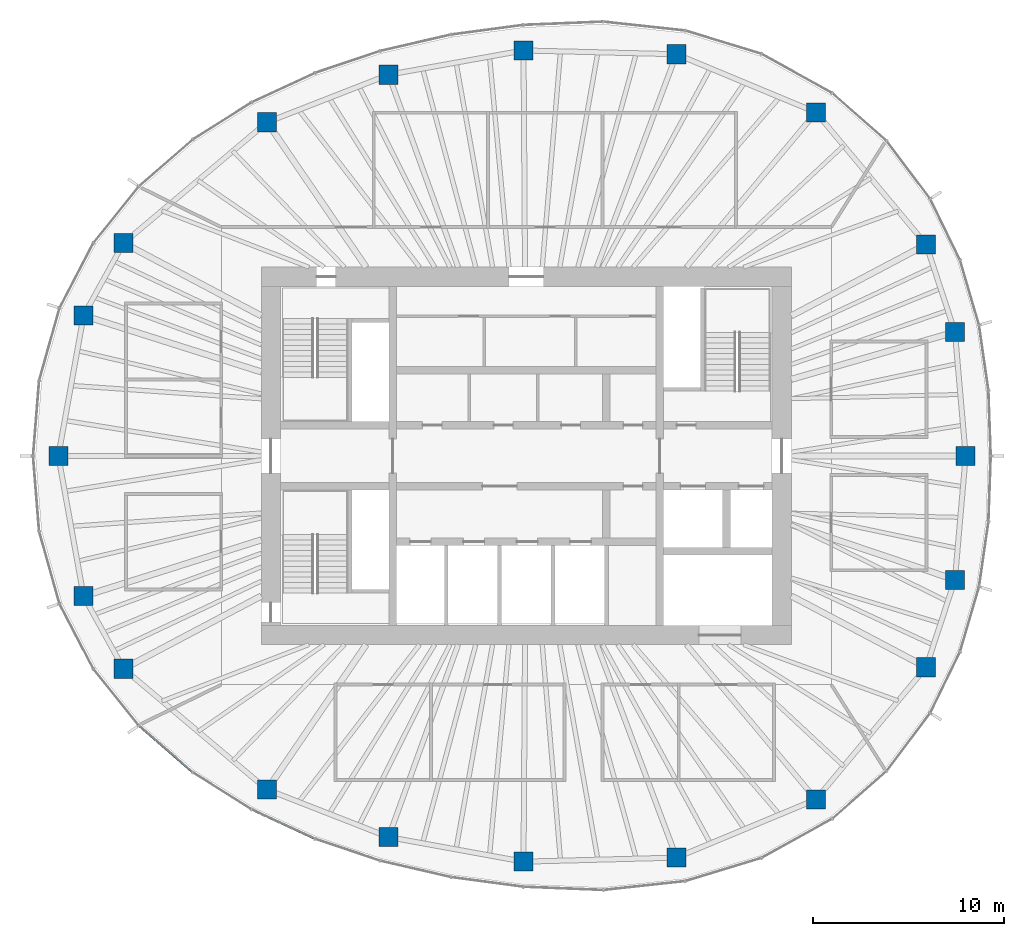
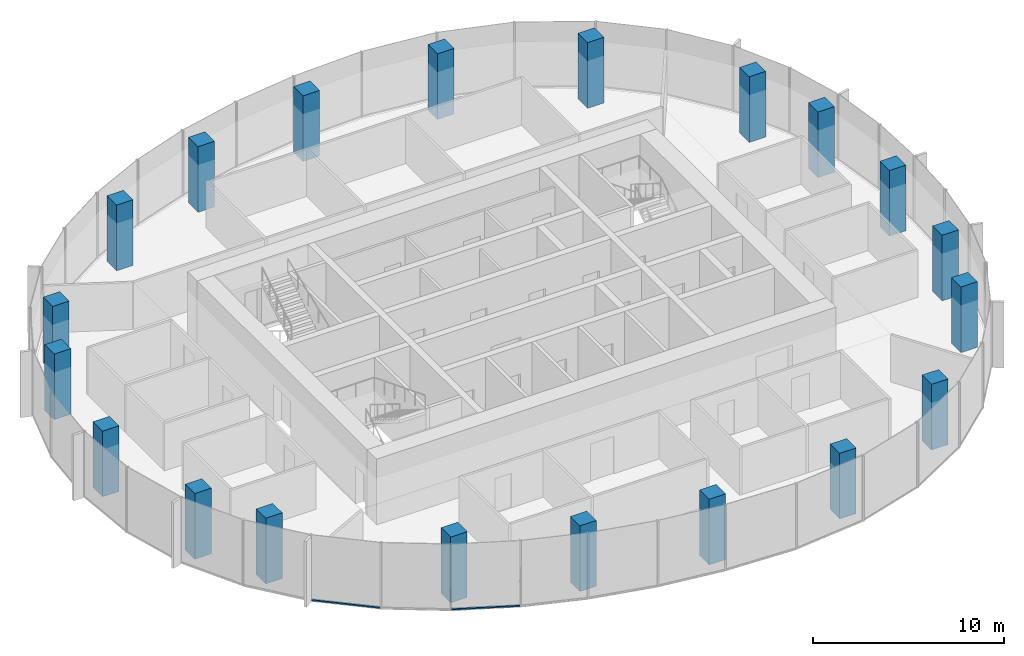
# One storey, part 1 of 11: 20 columns, 2 members, 2 elements without a shape of their own.
"""IFC4 building model written with IfcOpenShell, lengths in metres."""

from ifc_helpers import new_model, si_unit, direction, frame, origin, origin_2d, place, context, subcontext, project, spatial, rectangle, extrude, material, material_profile, profile_set, type_object, element, aggregate, save


model = new_model("IFC4")

# Units and contexts
model_context = context("Model", 3, precision=1e-05, world=origin(), true_north=direction((0.0, 1.0)))
body_context = subcontext(model_context, "Body", "Model", "MODEL_VIEW")
ifc_project = project(units=[si_unit("LENGTHUNIT", "METRE"), si_unit("AREAUNIT", "SQUARE_METRE"), si_unit("VOLUMEUNIT", "CUBIC_METRE"), si_unit("PLANEANGLEUNIT", "RADIAN"), si_unit("MASSUNIT", "GRAM", prefix="KILO")], contexts=[model_context])

# Site, building, storey
site_placement = place(None, origin())
site = spatial("IfcSite", under=ifc_project, at=site_placement, CompositionType="ELEMENT")
building_placement = place(site_placement, origin())
building = spatial("IfcBuilding", under=site, at=building_placement, Name="Ghaith Harvest Tower", CompositionType="ELEMENT")
storey_placement = place(building_placement, frame((0.0, 0.0, 317.39990234375)))
storey = spatial("IfcBuildingStorey", under=building, at=storey_placement, Name="L71", CompositionType="ELEMENT", Elevation=317.39990234375)

# Columns
ifc_material_1 = material(Name="Concrete C50/60", Category="concrete")
ifc_material_profile_1 = material_profile(ifc_material_1, rectangle(XDim=1.0, YDim=1.0, at=origin_2d()), Name="RC1000X1000")
ifc_profile_set_1 = profile_set([ifc_material_profile_1], Name="Concrete C50/60")
column_type = type_object("IfcColumnType", Name="TC8 RC1000X1000", PredefinedType="COLUMN", material=ifc_profile_set_1)
for number, where, z_axis, x_axis, name in (
    (1, (23.050048828125, 0.0, 0.0), (0.0, 0.0, 1.0), (1.0, 0.0, 0.0), "Perimeter column C01"),
    (2, (22.485107421875, 6.4990234375, 0.0), (0.0, 0.0, 1.0), (1.0, 0.0, 0.0), "Perimeter column C02"),
    (3, (20.97705078125, 11.087890625, 0.0), (0.0, 0.0, 1.0), (1.0, 0.0, 0.0), "Perimeter column C03"),
    (4, (15.197998046875, 18.02294921875, 0.0), (0.0, 0.0, 1.0), (1.0, 0.0, 0.0), "Perimeter column C04"),
    (5, (7.8779296875, 21.072021484375, 0.0), (0.0, 0.0, 1.0), (1.0, 0.0, 0.0), "Perimeter column C05"),
    (6, (-0.14599609375, 21.27099609375, 0.0), (0.0, 0.0, 1.0), (1.0, 0.0, 0.0), "Perimeter column C06"),
    (7, (-7.221923828125, 19.9970703125, 0.0), (0.0, 0.0, 1.0), (1.0, 0.0, 0.0), "Perimeter column C07"),
    (8, (-13.594970703125, 17.5048828125, 0.0), (0.0, 0.0, 1.0), (1.0, 0.0, 0.0), "Perimeter column C08"),
    (9, (-21.125, 11.166015625, 0.0), (0.0, 0.0, 1.0), (1.0, 0.0, 0.0), "Perimeter column C09"),
    (10, (-23.22412109375, 7.360107421875, 0.0), (0.0, 0.0, 1.0), (1.0, 0.0, 0.0), "Perimeter column C10"),
    (11, (-24.550048828125, 0.0, 0.0), (0.0, 0.0, 1.0), (1.0, 0.0, 0.0), "Perimeter column C11"),
    (12, (-23.22412109375, -7.360107421875, 0.0), (0.0, 0.0, 1.0), (1.0, 0.0, 0.0), "Perimeter column C12"),
    (13, (-21.125, -11.166015625, 0.0), (0.0, 0.0, 1.0), (1.0, 0.0, 0.0), "Perimeter column C13"),
    (14, (-13.594970703125, -17.5048828125, 0.0), (0.0, 0.0, 1.0), (1.0, 0.0, 0.0), "Perimeter column C14"),
    (15, (-7.221923828125, -19.9970703125, 0.0), (0.0, 0.0, 1.0), (1.0, 0.0, 0.0), "Perimeter column C15"),
    (16, (-0.14599609375, -21.285888671875, 0.0), (0.0, 0.0, 1.0), (1.0, 0.0, 0.0), "Perimeter column C16"),
    (17, (7.8779296875, -21.072021484375, 0.0), (0.0, 0.0, 1.0), (1.0, 0.0, 0.0), "Perimeter column C17"),
    (18, (15.197998046875, -18.02294921875, 0.0), (0.0, 0.0, 1.0), (1.0, 0.0, 0.0), "Perimeter column C18"),
    (19, (20.97705078125, -11.087890625, 0.0), (0.0, 0.0, 1.0), (1.0, 0.0, 0.0), "Perimeter column C19"),
    (20, (22.485107421875, -6.4990234375, 0.0), (0.0, 0.0, 1.0), (1.0, 0.0, 0.0), "Perimeter column C20"),
):
    element("IfcColumn", number, at=place(storey_placement, frame(where, z_axis=z_axis, x_axis=x_axis)), inside=storey, type_object=column_type, Name=name, PredefinedType="COLUMN", context=body_context, shape_type="SweptSolid", body=[
        extrude(rectangle(XDim=1.0, YDim=1.0, at=origin_2d()), origin(), (0.0, 0.0, 1.0), 4.2001953125),
    ])

# Curtain wall, member
ifc_material_2 = material(Name="Black anodised aluminium and fritted glass", Category="aluminium")
curtain_wall_type = type_object("IfcCurtainWallType", Name="CW-T CURTAIN WALL", PredefinedType="NOTDEFINED", material=ifc_material_2)
curtain_wall_1_placement = place(storey_placement, origin())
curtain_wall_1 = element("IfcCurtainWall", 21, at=curtain_wall_1_placement, inside=storey, type_object=curtain_wall_type, Name="Curtain wall CW-T bay 13 L71", PredefinedType="NOTDEFINED")
ifc_material_3 = material(Name="Aluminium, black anodised", Category="aluminium")
ifc_material_profile_2 = material_profile(ifc_material_3, rectangle(XDim=0.1201171875, YDim=0.080078125, at=origin_2d()), Name="CW-T TRANSOM 120x80")
ifc_profile_set_2 = profile_set([ifc_material_profile_2], Name="Aluminium, black anodised")
member_type = type_object("IfcMemberType", Name="CW-T TRANSOM 120x80", PredefinedType="USERDEFINED", material=ifc_profile_set_2)
member_1_placement = place(storey_placement, frame((-20.294189453125, -14.168212890625, 0.0400390625), z_axis=(0.754851889287, -0.65589528527, 0.0), x_axis=(0.65589528527, 0.754851889287, 0.0)))
member_1 = element("IfcMember", 22, at=member_1_placement, type_object=member_type, Name="CW-T transom 1 bay 13 L71", ObjectType="TRANSOM", PredefinedType="USERDEFINED", context=body_context, shape_type="SweptSolid", body=[
    extrude(rectangle(XDim=0.1201171875, YDim=0.080078125, at=origin_2d()), origin(), (0.0, 0.0, 1.0), 3.668701171875),
])
aggregate(curtain_wall_1, [member_1])

curtain_wall_2_placement = place(storey_placement, origin())
curtain_wall_2 = element("IfcCurtainWall", 23, at=curtain_wall_2_placement, inside=storey, type_object=curtain_wall_type, Name="Curtain wall CW-T bay 14 L71", PredefinedType="NOTDEFINED")
member_2_placement = place(storey_placement, frame((-14.36865234375, -18.564697265625, 0.0400390625), z_axis=(0.907472177056, -0.420112184862, 0.0), x_axis=(0.420112184862, 0.907472177056, 0.0)))
member_2 = element("IfcMember", 24, at=member_2_placement, type_object=member_type, Name="CW-T transom 1 bay 14 L71", ObjectType="TRANSOM", PredefinedType="USERDEFINED", context=body_context, shape_type="SweptSolid", body=[
    extrude(rectangle(XDim=0.1201171875, YDim=0.080078125, at=origin_2d()), origin(), (0.0, 0.0, 1.0), 3.597900390625),
])
aggregate(curtain_wall_2, [member_2])

save(model, "model.ifc")
